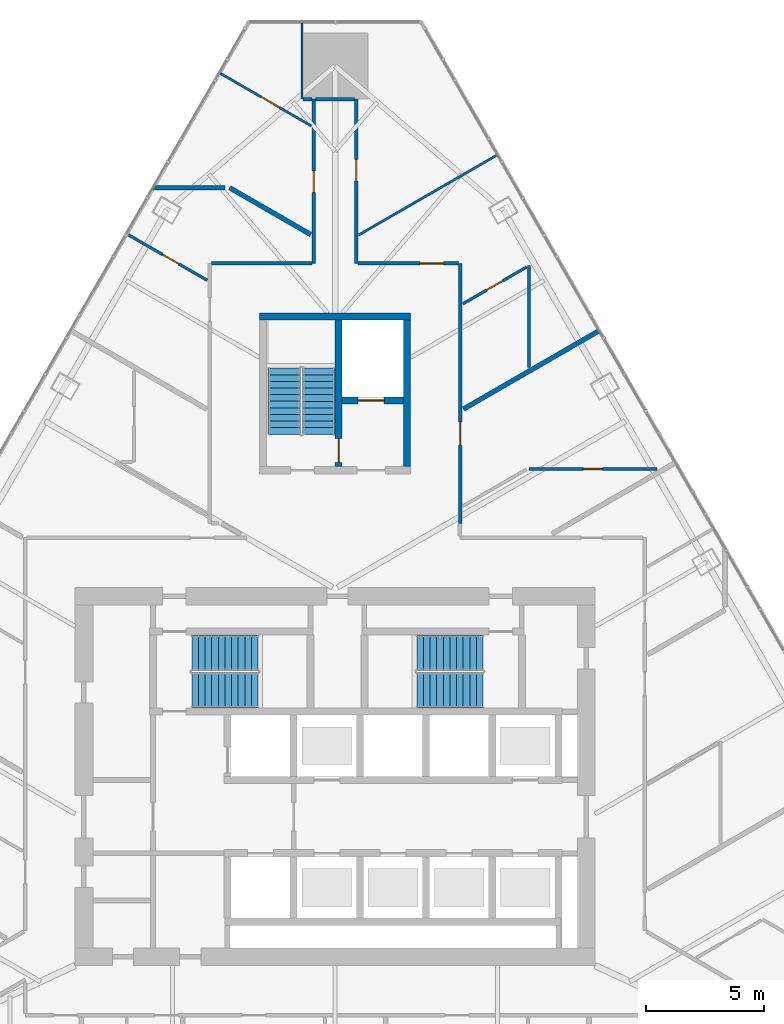
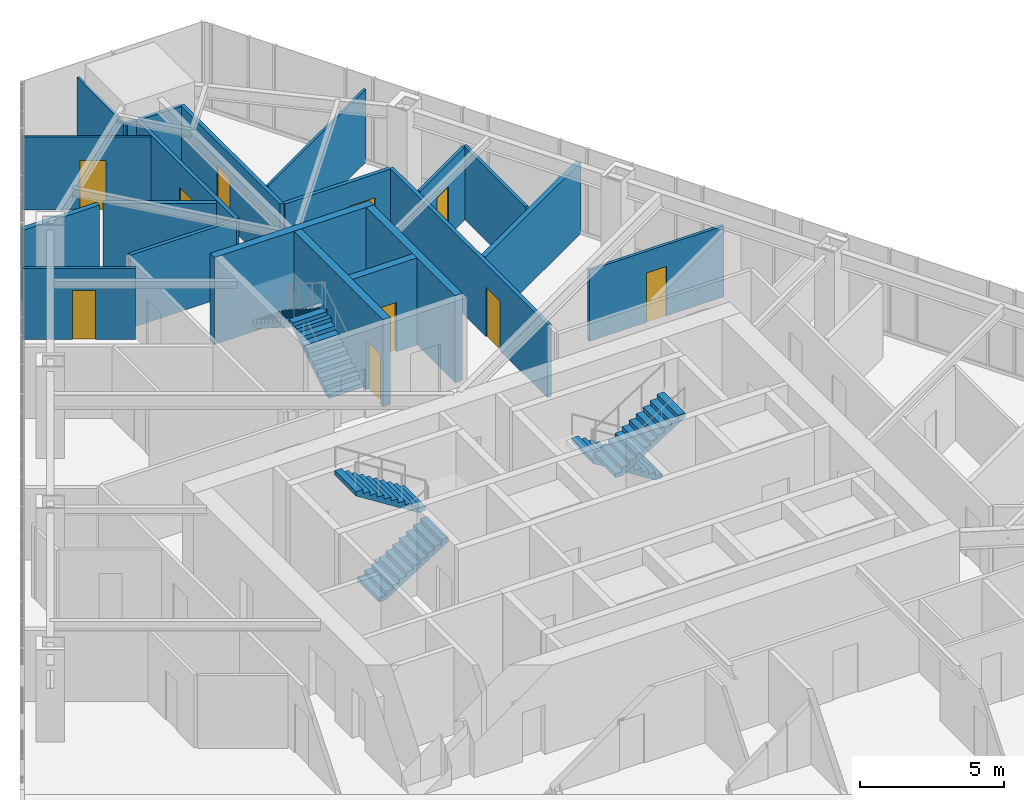
# One storey, part 22 of 24: 21 walls, 10 doors, 6 stair flights, 10 openings, 3 elements without a shape of their own.
"""IFC4 building model written with IfcOpenShell, lengths in metres."""

import ifcopenshell
import ifcopenshell.guid

model = None  # the IFC model being written
_history = None  # IfcOwnerHistory: only IFC2X3 demands one
_inside = {}  # id of a spatial element -> (the spatial element, [elements in it])
_under = {}  # id of a project, library or spatial element -> (it, [spatial elements below it])
_declared = {}  # id of a project -> (the project, [libraries it declares])
_typed = {}  # id of a type object -> (the type object, [elements of that type])
_made_of = {}  # id of a material, layer set ... -> (it, [elements and type objects made of it])


def new_model(schema):
    """Start an empty IFC model of exactly this schema.

    Asked for "IFC4X3", IfcOpenShell would pick the latest addendum, in which some entities
    have other attributes; the version numbers below select the first issue.
    IFC2X3 requires an IfcOwnerHistory on every rooted entity: one is made here for all.
    """
    global model, _history
    if schema == "IFC4X3":
        model = ifcopenshell.file(schema_version=(4, 3, 0, 0))
    else:
        model = ifcopenshell.file(schema=schema)
    _inside.clear()
    _under.clear()
    _declared.clear()
    _typed.clear()
    _made_of.clear()
    _history = None
    if model.schema == "IFC2X3":
        org = make("IfcOrganization", Name="unknown")
        user = make(
            "IfcPersonAndOrganization",
            ThePerson=make("IfcPerson", FamilyName="unknown"),
            TheOrganization=org,
        )
        app = make(
            "IfcApplication",
            ApplicationDeveloper=org,
            Version="unknown",
            ApplicationFullName="unknown",
            ApplicationIdentifier="unknown",
        )
        _history = make(
            "IfcOwnerHistory",
            OwningUser=user,
            OwningApplication=app,
            ChangeAction="ADDED",
            CreationDate=0,
        )
    return model


def make(cls, **values):
    """One entity of the class cls with the attributes given. An attribute that is None is left unset."""
    return model.create_entity(
        cls, **{name: value for name, value in values.items() if value is not None}
    )


def rooted(cls, **values):
    """An entity with a GlobalId (a new one), such as an element, a storey or a relation."""
    return make(cls, GlobalId=ifcopenshell.guid.new(), OwnerHistory=_history, **values)


def si_unit(unit_type, name, prefix=None):
    """IfcSIUnit, for example si_unit("LENGTHUNIT", "METRE", prefix="MILLI")."""
    return make("IfcSIUnit", UnitType=unit_type, Prefix=prefix, Name=name)


def assignment(units):
    """IfcUnitAssignment: the units of a project."""
    return None if units is None else make("IfcUnitAssignment", Units=units)


def point(xyz):
    """IfcCartesianPoint."""
    return None if xyz is None else make("IfcCartesianPoint", Coordinates=xyz)


def direction(xyz):
    """IfcDirection."""
    return None if xyz is None else make("IfcDirection", DirectionRatios=xyz)


def frame(location, z_axis=None, x_axis=None):
    """IfcAxis2Placement3D, a coordinate frame: its origin and axes. An axis left out is left unset."""
    return make(
        "IfcAxis2Placement3D",
        Location=point(location),
        Axis=direction(z_axis),
        RefDirection=direction(x_axis),
    )


def frame_2d(location, x_axis=None):
    """IfcAxis2Placement2D, a coordinate frame in the plane: its origin and x axis."""
    return make(
        "IfcAxis2Placement2D", Location=point(location), RefDirection=direction(x_axis)
    )


def origin():
    """The frame at (0, 0, 0) with its axes left unset."""
    return frame((0.0, 0.0, 0.0))


def place(relative_to, where):
    """IfcLocalPlacement: puts the frame where relative to a parent placement (None: the world)."""
    return make(
        "IfcLocalPlacement", PlacementRelTo=relative_to, RelativePlacement=where
    )


def context(
    kind, dimensions, precision=None, world=None, true_north=None, identifier=None
):
    """IfcGeometricRepresentationContext, for example the 3D "Model" context."""
    return make(
        "IfcGeometricRepresentationContext",
        ContextIdentifier=identifier,
        ContextType=kind,
        CoordinateSpaceDimension=dimensions,
        Precision=precision,
        WorldCoordinateSystem=world,
        TrueNorth=true_north,
    )


def subcontext(parent, identifier, kind, view, scale=None):
    """IfcGeometricRepresentationSubContext, for example "Body" below "Model"."""
    return make(
        "IfcGeometricRepresentationSubContext",
        ContextIdentifier=identifier,
        ContextType=kind,
        ParentContext=parent,
        TargetScale=scale,
        TargetView=view,
    )


def project(units=None, contexts=None):
    """IfcProject with its units and contexts."""
    return rooted(
        "IfcProject",
        Name="project",
        RepresentationContexts=contexts,
        UnitsInContext=assignment(units),
    )


def spatial(cls, under=None, at=None, **own):
    """A site, building, storey or space (cls), placed at a placement, below another one or the project."""
    s = rooted(cls, ObjectPlacement=at, **own)
    if under is not None:
        _under.setdefault(under.id(), (under, []))[1].append(s)
    return s


def polyline(points):
    """IfcPolyline through the points."""
    return make("IfcPolyline", Points=[point(p) for p in points])


def profile(cls, at=None, kind="AREA", **sizes):
    """A parametric profile (cls). Its sizes go by their IFC names, for example OverallWidth=200.0."""
    return make(cls, ProfileType=kind, Position=at, **sizes)


def rectangle(**sizes):
    """IfcRectangleProfileDef."""
    return profile("IfcRectangleProfileDef", **sizes)


def outline(outer, holes=None, kind="AREA"):
    """IfcArbitraryClosedProfileDef: a profile drawn as a closed curve; with holes, ...WithVoids."""
    if holes is None:
        return make("IfcArbitraryClosedProfileDef", ProfileType=kind, OuterCurve=outer)
    return make(
        "IfcArbitraryProfileDefWithVoids",
        ProfileType=kind,
        OuterCurve=outer,
        InnerCurves=holes,
    )


def extrude(swept, where, along, depth):
    """IfcExtrudedAreaSolid: the profile swept, set in the frame where, extruded along a direction by depth."""
    return make(
        "IfcExtrudedAreaSolid",
        SweptArea=swept,
        Position=where,
        ExtrudedDirection=direction(along),
        Depth=depth,
    )


def shape(context_of_items, identifier, shape_type, items):
    """IfcShapeRepresentation: the items that make up one representation, for example the "Body"."""
    return make(
        "IfcShapeRepresentation",
        ContextOfItems=context_of_items,
        RepresentationIdentifier=identifier,
        RepresentationType=shape_type,
        Items=items,
    )


def material(Name=None, Category=None):
    """IfcMaterial."""
    return make("IfcMaterial", Name=Name, Category=Category)


def layer(
    of_material, thickness, ventilated=None, Name=None, Category=None, Priority=None
):
    """IfcMaterialLayer: one layer of a wall or slab, of a material (None: an air gap)."""
    return make(
        "IfcMaterialLayer",
        Material=of_material,
        LayerThickness=thickness,
        IsVentilated=ventilated,
        Name=Name,
        Category=Category,
        Priority=Priority,
    )


def layer_set(layers, Name=None):
    """IfcMaterialLayerSet."""
    return make("IfcMaterialLayerSet", MaterialLayers=layers, LayerSetName=Name)


def made_of(thing, what):
    """Note that an element or type object is made of a material, layer set ...; save() writes the relation."""
    if what is not None:
        _made_of.setdefault(what.id(), (what, []))[1].append(thing)
    return thing


def type_object(cls, material=None, **own):
    """A type object (cls), such as IfcWallType, which elements share."""
    return made_of(rooted(cls, **own), material)


def element(
    cls,
    number,
    at=None,
    inside=None,
    cuts=None,
    type_object=None,
    material=None,
    context=None,
    identifier="Body",
    shape_type=None,
    held_by="IfcProductDefinitionShape",
    body=None,
    shapes=None,
    **own,
):
    """One element of the class cls, such as IfcWall. Its Tag is "e" and its number.

    at: its placement. inside: the storey or other place that contains it. cuts: it is an
    opening in that element (IfcRelVoidsElement). A single representation is given by context,
    identifier, shape_type and body (its items); several are given by shapes. held_by: the class
    of the entity that holds the representations. save() writes the other relations.
    """
    e = rooted(cls, Tag="e%d" % number, ObjectPlacement=at, **own)
    if body is not None:
        shapes = [shape(context, identifier, shape_type, body)]
    if shapes is not None:
        e.Representation = make(held_by, Representations=shapes)
    if inside is not None:
        _inside.setdefault(inside.id(), (inside, []))[1].append(e)
    if cuts is not None:
        rooted(
            "IfcRelVoidsElement", RelatingBuildingElement=cuts, RelatedOpeningElement=e
        )
    if type_object is not None:
        _typed.setdefault(type_object.id(), (type_object, []))[1].append(e)
    return made_of(e, material)


def fill(opening, filler):
    """IfcRelFillsElement: the door or window that sits in an opening."""
    return rooted(
        "IfcRelFillsElement",
        RelatingOpeningElement=opening,
        RelatedBuildingElement=filler,
    )


def aggregate(whole, parts):
    """IfcRelAggregates: a whole, such as a stair, and the parts it consists of."""
    return rooted("IfcRelAggregates", RelatingObject=whole, RelatedObjects=parts)


def save(model, path):
    """Write the relations noted so far, then the file.

    IfcRelAggregates (storeys below a building ...), IfcRelContainedInSpatialStructure (elements
    in a storey), IfcRelDefinesByType, IfcRelAssociatesMaterial and IfcRelDeclares: one each for
    every whole, place, type object, material and project.
    """
    for whole, parts in _under.values():
        aggregate(whole, parts)
    for where, things in _inside.values():
        rooted(
            "IfcRelContainedInSpatialStructure",
            RelatedElements=things,
            RelatingStructure=where,
        )
    for kind, things in _typed.values():
        rooted("IfcRelDefinesByType", RelatedObjects=things, RelatingType=kind)
    for what, things in _made_of.values():
        rooted("IfcRelAssociatesMaterial", RelatedObjects=things, RelatingMaterial=what)
    for by, libraries in _declared.values():
        rooted("IfcRelDeclares", RelatingContext=by, RelatedDefinitions=libraries)
    model.write(path)


model = new_model("IFC4")

# Units and contexts
model_context = context("Model", 3, precision=1e-05, world=origin(), true_north=direction((0.0, 1.0)))
body_context = subcontext(model_context, "Body", "Model", "MODEL_VIEW")
ifc_project = project(units=[si_unit("LENGTHUNIT", "METRE"), si_unit("AREAUNIT", "SQUARE_METRE"), si_unit("VOLUMEUNIT", "CUBIC_METRE"), si_unit("PLANEANGLEUNIT", "RADIAN"), si_unit("MASSUNIT", "GRAM", prefix="KILO")], contexts=[model_context])

# Site, building, storey
site_placement = place(None, origin())
site = spatial("IfcSite", under=ifc_project, at=site_placement, CompositionType="ELEMENT")
building_placement = place(site_placement, origin())
building = spatial("IfcBuilding", under=site, at=building_placement, Name="Firuza Gate Tower and Library", CompositionType="ELEMENT")
storey_placement = place(building_placement, frame((0.0, 0.0, 206.5)))
storey = spatial("IfcBuildingStorey", under=building, at=storey_placement, Name="L48", CompositionType="ELEMENT", Elevation=206.5)

# Walls
ifc_material_1 = material(Name="Concrete C80/95", Category="concrete")
ifc_layer_1 = layer(ifc_material_1, 0.300048828125)
ifc_layer_set_1 = layer_set([ifc_layer_1], Name="Core wall 300 C80/95")
wall_type_1 = type_object("IfcWallType", Name="Core wall 300 C80/95", PredefinedType="SHEAR", material=ifc_layer_set_1)
wall_1_placement = place(storey_placement, frame((71.800048828125, 94.449951171875, 0.0), z_axis=(0.0, 0.0, 1.0), x_axis=(1.0, 0.0, 0.0)))
element("IfcWall", 1, at=wall_1_placement, inside=storey, type_object=wall_type_1, Name="Core wall L48 28", PredefinedType="SHEAR", context=body_context, shape_type="SweptSolid", body=[
    extrude(rectangle(XDim=6.39990234375, YDim=0.300048828125, at=frame_2d((3.199951171875, 0.0))), origin(), (0.0, 0.0, 1.0), 3.699951171875),
])
wall_2_placement = place(storey_placement, frame((78.050048828125, 88.10009765625, 0.0), z_axis=(0.0, 0.0, 1.0), x_axis=(0.0, 1.0, 0.0)))
element("IfcWall", 2, at=wall_2_placement, inside=storey, type_object=wall_type_1, Name="Core wall L48 30", PredefinedType="SHEAR", context=body_context, shape_type="SweptSolid", body=[
    extrude(rectangle(XDim=6.199951171875, YDim=0.300048828125, at=frame_2d((3.10009765625, 0.0))), origin(), (0.0, 0.0, 1.0), 3.699951171875),
])

# Wall, opening, door
wall_3_placement = place(storey_placement, frame((75.300048828125, 90.89990234375, 0.0), z_axis=(0.0, 0.0, 1.0), x_axis=(1.0, 0.0, 0.0)))
wall_3 = element("IfcWall", 3, at=wall_3_placement, inside=storey, type_object=wall_type_1, Name="Core wall L48 31", PredefinedType="SHEAR", context=body_context, shape_type="SweptSolid", body=[
    extrude(rectangle(XDim=2.599853515625, YDim=0.300048828125, at=frame_2d((1.2998046875, 0.0))), origin(), (0.0, 0.0, 1.0), 3.699951171875),
])
opening_1_placement = place(wall_3_placement, frame((0.675048828125, 0.0, 0.0)))
opening_1 = element("IfcOpeningElement", 4, at=opening_1_placement, cuts=wall_3, Name="Opening LD-SV1-L48", PredefinedType="OPENING", context=body_context, shape_type="SweptSolid", body=[
    extrude(rectangle(XDim=1.10009765625, YDim=2.10009765625, at=frame_2d((0.550048828125, 1.050048828125))), frame((0.0, 0.16015625, 0.0), z_axis=(0.0, -1.0, 0.0), x_axis=(1.0, 0.0, 0.0)), (0.0, 0.0, 1.0), 0.320068359375),
])
ifc_material_2 = material(Name="Stainless steel", Category="steel")
door_type_1 = type_object("IfcDoorType", Name="Lift landing door 1100x2100", OperationType="DOUBLE_DOOR_SLIDING", PredefinedType="DOOR", material=ifc_material_2)
door_1_placement = place(opening_1_placement, origin())
door_1 = element("IfcDoor", 5, at=door_1_placement, inside=storey, type_object=door_type_1, Name="Landing door SV1 L48", OperationType="DOUBLE_DOOR_SLIDING", OverallHeight=2.10009765625, OverallWidth=1.10009765625, PredefinedType="DOOR", context=body_context, shape_type="SweptSolid", body=[
    extrude(rectangle(XDim=1.10009765625, YDim=2.10009765625, at=frame_2d((0.550048828125, 1.050048828125))), frame((0.0, 0.02490234375, 0.0), z_axis=(0.0, -1.0, 0.0), x_axis=(1.0, 0.0, 0.0)), (0.0, 0.0, 1.0), 0.050048828125),
])
fill(opening_1, door_1)

wall_4_placement = place(storey_placement, frame((75.14990234375, 88.10009765625, 0.0), z_axis=(0.0, 0.0, 1.0), x_axis=(0.0, 1.0, 0.0)))
wall_4 = element("IfcWall", 6, at=wall_4_placement, inside=storey, type_object=wall_type_1, Name="Core wall L48 32", PredefinedType="SHEAR", context=body_context, shape_type="SweptSolid", body=[
    extrude(rectangle(XDim=6.199951171875, YDim=0.300048828125, at=frame_2d((3.10009765625, 0.0))), origin(), (0.0, 0.0, 1.0), 3.699951171875),
])
opening_2_placement = place(wall_4_placement, frame((0.18505859375, 0.0, 0.0)))
opening_2 = element("IfcOpeningElement", 7, at=opening_2_placement, cuts=wall_4, Name="Opening L48-K16", PredefinedType="OPENING", context=body_context, shape_type="SweptSolid", body=[
    extrude(rectangle(XDim=1.0, YDim=2.10009765625, at=frame_2d((0.5, 1.050048828125))), frame((0.0, 0.16015625, 0.0), z_axis=(0.0, -1.0, 0.0), x_axis=(1.0, 0.0, 0.0)), (0.0, 0.0, 1.0), 0.320068359375),
])
ifc_material_3 = material(Name="Steel", Category="steel")
door_type_2 = type_object("IfcDoorType", Name="Fire door 1000x2100 FD90", OperationType="NOTDEFINED", PredefinedType="DOOR", material=ifc_material_3)
door_2_placement = place(opening_2_placement, origin())
door_2 = element("IfcDoor", 8, at=door_2_placement, inside=storey, type_object=door_type_2, Name="Door L48-K16", OperationType="SINGLE_SWING_LEFT", OverallHeight=2.10009765625, OverallWidth=1.0, PredefinedType="DOOR", context=body_context, shape_type="SweptSolid", body=[
    extrude(rectangle(XDim=1.0, YDim=2.10009765625, at=frame_2d((0.5, 1.050048828125))), frame((0.0, 0.02490234375, 0.0), z_axis=(0.0, -1.0, 0.0), x_axis=(1.0, 0.0, 0.0)), (0.0, 0.0, 1.0), 0.050048828125),
])
fill(opening_2, door_2)

# Wall
ifc_material_4 = material(Name="Gypsum board partition")
ifc_layer_2 = layer(ifc_material_4, 0.14990234375)
ifc_layer_set_2 = layer_set([ifc_layer_2], Name="Corridor wall 150 double board on steel studs")
wall_type_2 = type_object("IfcWallType", Name="Corridor wall 150 double board on steel studs", PredefinedType="PARTITIONING", material=ifc_layer_set_2)
wall_5_placement = place(storey_placement, frame((69.775390625, 96.699951171875, 0.0), z_axis=(0.0, 0.0, 1.0), x_axis=(1.0, 0.0, 0.0)))
element("IfcWall", 9, at=wall_5_placement, inside=storey, type_object=wall_type_2, Name="f:L48:w014", PredefinedType="PARTITIONING", context=body_context, shape_type="SweptSolid", body=[
    extrude(rectangle(XDim=4.24951171875, YDim=0.14990234375, at=frame_2d((2.124755859375, 0.0))), origin(), (0.0, 0.0, 1.0), 3.10009765625),
])

# Wall, opening, door
wall_6_placement = place(storey_placement, frame((75.97509765625, 96.699951171875, 0.0), z_axis=(0.0, 0.0, 1.0), x_axis=(1.0, 0.0, 0.0)))
wall_6 = element("IfcWall", 10, at=wall_6_placement, inside=storey, type_object=wall_type_2, Name="f:L48:w015", PredefinedType="PARTITIONING", context=body_context, shape_type="SweptSolid", body=[
    extrude(rectangle(XDim=4.24951171875, YDim=0.14990234375, at=frame_2d((2.124755859375, 0.0))), origin(), (0.0, 0.0, 1.0), 3.10009765625),
])
opening_3_placement = place(wall_6_placement, frame((2.6220703125, 0.0, 0.0)))
opening_3 = element("IfcOpeningElement", 11, at=opening_3_placement, cuts=wall_6, Name="Opening L48-12", PredefinedType="OPENING", context=body_context, shape_type="SweptSolid", body=[
    extrude(rectangle(XDim=1.0, YDim=2.10009765625, at=frame_2d((0.5, 1.050048828125))), frame((0.0, 0.0849609375, 0.0), z_axis=(0.0, -1.0, 0.0), x_axis=(1.0, 0.0, 0.0)), (0.0, 0.0, 1.0), 0.169921875),
])
ifc_material_5 = material(Name="Steel door and timber leaf", Category="steel")
door_type_3 = type_object("IfcDoorType", Name="Fire door 1000 x 2100 steel frame, timber leaf", OperationType="NOTDEFINED", PredefinedType="DOOR", material=ifc_material_5)
door_3_placement = place(opening_3_placement, origin())
door_3 = element("IfcDoor", 12, at=door_3_placement, inside=storey, type_object=door_type_3, Name="f:L48:d012", OperationType="SINGLE_SWING_LEFT", OverallHeight=2.10009765625, OverallWidth=1.0, PredefinedType="DOOR", context=body_context, shape_type="SweptSolid", body=[
    extrude(rectangle(XDim=1.0, YDim=2.10009765625, at=frame_2d((0.5, 1.050048828125))), frame((0.0, 0.02490234375, 0.0), z_axis=(0.0, -1.0, 0.0), x_axis=(1.0, 0.0, 0.0)), (0.0, 0.0, 1.0), 0.050048828125),
])
fill(opening_3, door_3)

# Wall
wall_7_placement = place(storey_placement, frame((73.650390625, 103.64794921875, 0.0), z_axis=(0.0, 0.0, 1.0), x_axis=(1.0, 0.0, 0.0)))
element("IfcWall", 13, at=wall_7_placement, inside=storey, type_object=wall_type_2, Name="f:L48:w017", PredefinedType="PARTITIONING", context=body_context, shape_type="SweptSolid", body=[
    extrude(rectangle(XDim=0.37451171875, YDim=0.14990234375, at=frame_2d((0.187255859375, 0.0))), origin(), (0.0, 0.0, 1.0), 3.10009765625),
])

# Wall, opening, door
wall_8_placement = place(storey_placement, frame((80.300048828125, 96.699462890625, 0.0), z_axis=(0.0, 0.0, 1.0), x_axis=(0.0, -1.0, 0.0)))
wall_8 = element("IfcWall", 14, at=wall_8_placement, inside=storey, type_object=wall_type_2, Name="f:L48:w050", PredefinedType="PARTITIONING", context=body_context, shape_type="SweptSolid", body=[
    extrude(rectangle(XDim=10.9990234375, YDim=0.14990234375, at=frame_2d((5.49951171875, 0.0))), origin(), (0.0, 0.0, 1.0), 3.096923828125),
])
opening_4_placement = place(wall_8_placement, frame((6.697021484375, 0.0, 0.0)))
opening_4 = element("IfcOpeningElement", 15, at=opening_4_placement, cuts=wall_8, Name="Opening L48-27", PredefinedType="OPENING", context=body_context, shape_type="SweptSolid", body=[
    extrude(rectangle(XDim=1.0, YDim=2.10009765625, at=frame_2d((0.5, 1.050048828125))), frame((0.0, 0.0849609375, 0.0), z_axis=(0.0, -1.0, 0.0), x_axis=(1.0, 0.0, 0.0)), (0.0, 0.0, 1.0), 0.169921875),
])
door_4_placement = place(opening_4_placement, origin())
door_4 = element("IfcDoor", 16, at=door_4_placement, inside=storey, type_object=door_type_3, Name="f:L48:d027", OperationType="SINGLE_SWING_RIGHT", OverallHeight=2.10009765625, OverallWidth=1.0, PredefinedType="DOOR", context=body_context, shape_type="SweptSolid", body=[
    extrude(rectangle(XDim=1.0, YDim=2.10009765625, at=frame_2d((0.5, 1.050048828125))), frame((0.0, 0.02490234375, 0.0), z_axis=(0.0, -1.0, 0.0), x_axis=(1.0, 0.0, 0.0)), (0.0, 0.0, 1.0), 0.050048828125),
])
fill(opening_4, door_4)

wall_9_placement = place(storey_placement, frame((75.89990234375, 103.6474609375, 0.0), z_axis=(0.0, 0.0, 1.0), x_axis=(0.0, -1.0, 0.0)))
wall_9 = element("IfcWall", 17, at=wall_9_placement, inside=storey, type_object=wall_type_2, Name="f:L48:w053", PredefinedType="PARTITIONING", context=body_context, shape_type="SweptSolid", body=[
    extrude(rectangle(XDim=6.947509765625, YDim=0.14990234375, at=frame_2d((3.4736328125, 0.0))), origin(), (0.0, 0.0, 1.0), 3.10009765625),
])
opening_5_placement = place(wall_9_placement, frame((2.5517578125, 0.0, 0.0)))
opening_5 = element("IfcOpeningElement", 18, at=opening_5_placement, cuts=wall_9, Name="Opening L48-28", PredefinedType="OPENING", context=body_context, shape_type="SweptSolid", body=[
    extrude(rectangle(XDim=0.89990234375, YDim=2.10009765625, at=frame_2d((0.449951171875, 1.050048828125))), frame((0.0, 0.0849609375, 0.0), z_axis=(0.0, -1.0, 0.0), x_axis=(1.0, 0.0, 0.0)), (0.0, 0.0, 1.0), 0.169921875),
])
ifc_material_6 = material(Name="Steel door and timber leaf", Category="steel")
door_type_4 = type_object("IfcDoorType", Name="Fire door 900 x 2100 steel frame, timber leaf", OperationType="NOTDEFINED", PredefinedType="DOOR", material=ifc_material_6)
door_5_placement = place(opening_5_placement, origin())
door_5 = element("IfcDoor", 19, at=door_5_placement, inside=storey, type_object=door_type_4, Name="f:L48:d028", OperationType="SINGLE_SWING_RIGHT", OverallHeight=2.10009765625, OverallWidth=0.89990234375, PredefinedType="DOOR", context=body_context, shape_type="SweptSolid", body=[
    extrude(rectangle(XDim=0.89990234375, YDim=2.10009765625, at=frame_2d((0.449951171875, 1.050048828125))), frame((0.0, 0.02490234375, 0.0), z_axis=(0.0, -1.0, 0.0), x_axis=(1.0, 0.0, 0.0)), (0.0, 0.0, 1.0), 0.050048828125),
])
fill(opening_5, door_5)

wall_10_placement = place(storey_placement, frame((74.10009765625, 96.699951171875, 0.0), z_axis=(0.0, 0.0, 1.0), x_axis=(0.0, 1.0, 0.0)))
wall_10 = element("IfcWall", 20, at=wall_10_placement, inside=storey, type_object=wall_type_2, Name="f:L48:w055", PredefinedType="PARTITIONING", context=body_context, shape_type="SweptSolid", body=[
    extrude(rectangle(XDim=6.947998046875, YDim=0.14990234375, at=frame_2d((3.47412109375, 0.0))), origin(), (0.0, 0.0, 1.0), 3.10009765625),
])
opening_6_placement = place(wall_10_placement, frame((3.002197265625, 0.0, 0.0)))
opening_6 = element("IfcOpeningElement", 21, at=opening_6_placement, cuts=wall_10, Name="Opening L48-29", PredefinedType="OPENING", context=body_context, shape_type="SweptSolid", body=[
    extrude(rectangle(XDim=0.89990234375, YDim=2.10009765625, at=frame_2d((0.449951171875, 1.050048828125))), frame((0.0, 0.0849609375, 0.0), z_axis=(0.0, -1.0, 0.0), x_axis=(1.0, 0.0, 0.0)), (0.0, 0.0, 1.0), 0.169921875),
])
door_6_placement = place(opening_6_placement, origin())
door_6 = element("IfcDoor", 22, at=door_6_placement, inside=storey, type_object=door_type_4, Name="f:L48:d029", OperationType="SINGLE_SWING_LEFT", OverallHeight=2.10009765625, OverallWidth=0.89990234375, PredefinedType="DOOR", context=body_context, shape_type="SweptSolid", body=[
    extrude(rectangle(XDim=0.89990234375, YDim=2.10009765625, at=frame_2d((0.449951171875, 1.050048828125))), frame((0.0, 0.02490234375, 0.0), z_axis=(0.0, -1.0, 0.0), x_axis=(1.0, 0.0, 0.0)), (0.0, 0.0, 1.0), 0.050048828125),
])
fill(opening_6, door_6)

# Walls
wall_11_placement = place(storey_placement, frame((74.175048828125, 103.64794921875, 0.0), z_axis=(0.0, 0.0, 1.0), x_axis=(1.0, 0.0, 0.0)))
element("IfcWall", 23, at=wall_11_placement, inside=storey, type_object=wall_type_2, Name="f:L48:w095", PredefinedType="PARTITIONING", context=body_context, shape_type="SweptSolid", body=[
    extrude(rectangle(XDim=1.6494140625, YDim=0.14990234375, at=frame_2d((0.82470703125, 0.0))), origin(), (0.0, 0.0, 1.0), 3.096923828125),
])
ifc_material_7 = material(Name="Gypsum board partition")
ifc_layer_3 = layer(ifc_material_7, 0.199951171875)
ifc_layer_set_3 = layer_set([ifc_layer_3], Name="Demising wall 200 acoustic double stud")
wall_type_3 = type_object("IfcWallType", Name="Demising wall 200 acoustic double stud", PredefinedType="PARTITIONING", material=ifc_layer_set_3)
wall_12_placement = place(storey_placement, frame((67.3193359375, 99.89990234375, 0.0), z_axis=(0.0, 0.0, 1.0), x_axis=(1.0, 0.0, 0.0)))
element("IfcWall", 24, at=wall_12_placement, inside=storey, type_object=wall_type_3, Name="f:L48:w016", PredefinedType="PARTITIONING", context=body_context, shape_type="SweptSolid", body=[
    extrude(rectangle(XDim=3.0244140625, YDim=0.199951171875, at=frame_2d((1.51220703125, 0.0))), origin(), (0.0, 0.0, 1.0), 3.10009765625),
])
wall_13_placement = place(storey_placement, frame((80.427001953125, 90.537109375, 0.0), z_axis=(0.0, 0.0, 1.0), x_axis=(0.866026229868, 0.499998569178, 0.0)))
element("IfcWall", 25, at=wall_13_placement, inside=storey, type_object=wall_type_3, Name="f:L48:w034", PredefinedType="PARTITIONING", context=body_context, shape_type="SweptSolid", body=[
    extrude(rectangle(XDim=6.63330078125, YDim=0.199951171875, at=frame_2d((3.316650390625, 0.0))), origin(), (0.0, 0.0, 1.0), 3.02197265625),
])
wall_14_placement = place(storey_placement, frame((73.97314453125, 97.920166015625, 0.0), z_axis=(0.0, 0.0, 1.0), x_axis=(-0.866011036969, 0.500024883228, 0.0)))
element("IfcWall", 26, at=wall_14_placement, inside=storey, type_object=wall_type_3, Name="f:L48:w076", PredefinedType="PARTITIONING", context=body_context, shape_type="SweptSolid", body=[
    extrude(rectangle(XDim=3.959716796875, YDim=0.199951171875, at=frame_2d((1.97998046875, 0.0))), origin(), (0.0, 0.0, 1.0), 3.10009765625),
])
ifc_material_8 = material(Name="Gypsum board partition")
ifc_layer_4 = layer(ifc_material_8, 0.10009765625)
ifc_layer_set_4 = layer_set([ifc_layer_4], Name="Partition 100 gypsum board on steel studs")
wall_type_4 = type_object("IfcWallType", Name="Partition 100 gypsum board on steel studs", PredefinedType="PARTITIONING", material=ifc_layer_set_4)
wall_15_placement = place(storey_placement, frame((76.0009765625, 97.9052734375, 0.0), z_axis=(0.0, 0.0, 1.0), x_axis=(0.866023732449, 0.500002894826, 0.0)))
element("IfcWall", 27, at=wall_15_placement, inside=storey, type_object=wall_type_4, Name="f:L48:w036", PredefinedType="PARTITIONING", context=body_context, shape_type="SweptSolid", body=[
    extrude(rectangle(XDim=6.7822265625, YDim=0.10009765625, at=frame_2d((3.39111328125, 0.0))), origin(), (0.0, 0.0, 1.0), 3.10009765625),
])
wall_16_placement = place(storey_placement, frame((73.60009765625, 103.6484375, 0.0), z_axis=(0.0, 0.0, 1.0), x_axis=(0.0, 1.0, 0.0)))
element("IfcWall", 28, at=wall_16_placement, inside=storey, type_object=wall_type_4, Name="f:L48:w057", PredefinedType="PARTITIONING", context=body_context, shape_type="SweptSolid", body=[
    extrude(rectangle(XDim=3.259521484375, YDim=0.10009765625, at=frame_2d((1.6298828125, 0.0))), origin(), (0.0, 0.0, 1.0), 3.10009765625),
])

# Wall, opening, door
wall_17_placement = place(storey_placement, frame((73.999267578125, 102.515869140625, 0.0), z_axis=(0.0, 0.0, 1.0), x_axis=(-0.866023033614, 0.500004105233, 0.0)))
wall_17 = element("IfcWall", 29, at=wall_17_placement, inside=storey, type_object=wall_type_4, Name="f:L48:w075", PredefinedType="PARTITIONING", context=body_context, shape_type="SweptSolid", body=[
    extrude(rectangle(XDim=4.47705078125, YDim=0.10009765625, at=frame_2d((2.238525390625, 0.0))), origin(), (0.0, 0.0, 1.0), 3.10009765625),
])
opening_7_placement = place(wall_17_placement, frame((1.570068359375, 0.0, 0.0)))
opening_7 = element("IfcOpeningElement", 30, at=opening_7_placement, cuts=wall_17, Name="Opening L48-37", PredefinedType="OPENING", context=body_context, shape_type="SweptSolid", body=[
    extrude(rectangle(XDim=0.89990234375, YDim=2.10009765625, at=frame_2d((0.449951171875, 1.050048828125))), frame((0.0, 0.06005859375, 0.0), z_axis=(0.0, -1.0, 0.0), x_axis=(1.0, 0.0, 0.0)), (0.0, 0.0, 1.0), 0.1201171875),
])
ifc_material_9 = material(Name="Timber door", Category="wood")
door_type_5 = type_object("IfcDoorType", Name="Door 900 x 2100 timber leaf", OperationType="NOTDEFINED", PredefinedType="DOOR", material=ifc_material_9)
door_7_placement = place(opening_7_placement, origin())
door_7 = element("IfcDoor", 31, at=door_7_placement, inside=storey, type_object=door_type_5, Name="f:L48:d037", OperationType="SINGLE_SWING_RIGHT", OverallHeight=2.10009765625, OverallWidth=0.89990234375, PredefinedType="DOOR", context=body_context, shape_type="SweptSolid", body=[
    extrude(rectangle(XDim=0.89990234375, YDim=2.10009765625, at=frame_2d((0.449951171875, 1.050048828125))), frame((0.0, 0.02490234375, 0.0), z_axis=(0.0, -1.0, 0.0), x_axis=(1.0, 0.0, 0.0)), (0.0, 0.0, 1.0), 0.050048828125),
])
fill(opening_7, door_7)

ifc_material_10 = material(Name="Gypsum board partition")
ifc_layer_5 = layer(ifc_material_10, 0.1201171875)
ifc_layer_set_5 = layer_set([ifc_layer_5], Name="Wet-area partition 120 moisture-resistant board")
wall_type_5 = type_object("IfcWallType", Name="Wet-area partition 120 moisture-resistant board", PredefinedType="PARTITIONING", material=ifc_layer_set_5)
wall_18_placement = place(storey_placement, frame((88.61279296875, 88.0, 0.0), z_axis=(0.0, 0.0, 1.0), x_axis=(-1.0, 0.0, 0.0)))
wall_18 = element("IfcWall", 32, at=wall_18_placement, inside=storey, type_object=wall_type_5, Name="f:L48:w012", PredefinedType="PARTITIONING", context=body_context, shape_type="SweptSolid", body=[
    extrude(rectangle(XDim=5.412353515625, YDim=0.1201171875, at=frame_2d((2.7060546875, 0.0))), origin(), (0.0, 0.0, 1.0), 3.02197265625),
])
opening_8_placement = place(wall_18_placement, frame((2.30615234375, 0.0, 0.0)))
opening_8 = element("IfcOpeningElement", 33, at=opening_8_placement, cuts=wall_18, Name="Opening L48-11", PredefinedType="OPENING", context=body_context, shape_type="SweptSolid", body=[
    extrude(rectangle(XDim=0.800048828125, YDim=2.10009765625, at=frame_2d((0.39990234375, 1.050048828125))), frame((0.0, 0.070068359375, 0.0), z_axis=(0.0, -1.0, 0.0), x_axis=(1.0, 0.0, 0.0)), (0.0, 0.0, 1.0), 0.14013671875),
])
ifc_material_11 = material(Name="Timber door", Category="wood")
door_type_6 = type_object("IfcDoorType", Name="Door 800 x 2100 timber leaf", OperationType="NOTDEFINED", PredefinedType="DOOR", material=ifc_material_11)
door_8_placement = place(opening_8_placement, origin())
door_8 = element("IfcDoor", 34, at=door_8_placement, inside=storey, type_object=door_type_6, Name="f:L48:d011", OperationType="SINGLE_SWING_LEFT", OverallHeight=2.10009765625, OverallWidth=0.800048828125, PredefinedType="DOOR", context=body_context, shape_type="SweptSolid", body=[
    extrude(rectangle(XDim=0.800048828125, YDim=2.10009765625, at=frame_2d((0.39990234375, 1.050048828125))), frame((0.0, 0.02490234375, 0.0), z_axis=(0.0, -1.0, 0.0), x_axis=(1.0, 0.0, 0.0)), (0.0, 0.0, 1.0), 0.050048828125),
])
fill(opening_8, door_8)

wall_19_placement = place(storey_placement, frame((83.10546875, 96.548828125, 0.0), z_axis=(0.0, 0.0, 1.0), x_axis=(-0.866028856698, -0.499994019331, 0.0)))
wall_19 = element("IfcWall", 35, at=wall_19_placement, inside=storey, type_object=wall_type_5, Name="f:L48:w035", PredefinedType="PARTITIONING", context=body_context, shape_type="SweptSolid", body=[
    extrude(rectangle(XDim=3.11279296875, YDim=0.1201171875, at=frame_2d((1.556396484375, 0.0))), origin(), (0.0, 0.0, 1.0), 3.10009765625),
])
opening_9_placement = place(wall_19_placement, frame((1.156494140625, 0.0, 0.0)))
opening_9 = element("IfcOpeningElement", 36, at=opening_9_placement, cuts=wall_19, Name="Opening L48-20", PredefinedType="OPENING", context=body_context, shape_type="SweptSolid", body=[
    extrude(rectangle(XDim=0.800048828125, YDim=2.10009765625, at=frame_2d((0.39990234375, 1.050048828125))), frame((0.0, 0.070068359375, 0.0), z_axis=(0.0, -1.0, 0.0), x_axis=(1.0, 0.0, 0.0)), (0.0, 0.0, 1.0), 0.14013671875),
])
door_9_placement = place(opening_9_placement, origin())
door_9 = element("IfcDoor", 37, at=door_9_placement, inside=storey, type_object=door_type_6, Name="f:L48:d020", OperationType="SINGLE_SWING_LEFT", OverallHeight=2.10009765625, OverallWidth=0.800048828125, PredefinedType="DOOR", context=body_context, shape_type="SweptSolid", body=[
    extrude(rectangle(XDim=0.800048828125, YDim=2.10009765625, at=frame_2d((0.39990234375, 1.050048828125))), frame((0.0, 0.02490234375, 0.0), z_axis=(0.0, -1.0, 0.0), x_axis=(1.0, 0.0, 0.0)), (0.0, 0.0, 1.0), 0.050048828125),
])
fill(opening_9, door_9)

# Wall
wall_20_placement = place(storey_placement, frame((83.199951171875, 92.293701171875, 0.0), z_axis=(0.0, 0.0, 1.0), x_axis=(0.0, 1.0, 0.0)))
element("IfcWall", 38, at=wall_20_placement, inside=storey, type_object=wall_type_5, Name="f:L48:w047", PredefinedType="PARTITIONING", context=body_context, shape_type="SweptSolid", body=[
    extrude(rectangle(XDim=4.31005859375, YDim=0.1201171875, at=frame_2d((2.155029296875, 0.0))), origin(), (0.0, 0.0, 1.0), 3.10009765625),
])

# Wall, opening, door
wall_21_placement = place(storey_placement, frame((66.19189453125, 97.947509765625, 0.0), z_axis=(0.0, 0.0, 1.0), x_axis=(0.866033299124, -0.499986324622, 0.0)))
wall_21 = element("IfcWall", 39, at=wall_21_placement, inside=storey, type_object=wall_type_5, Name="f:L48:w077", PredefinedType="PARTITIONING", context=body_context, shape_type="SweptSolid", body=[
    extrude(rectangle(XDim=3.92431640625, YDim=0.1201171875, at=frame_2d((1.962158203125, 0.0))), origin(), (0.0, 0.0, 1.0), 3.02197265625),
])
opening_10_placement = place(wall_21_placement, frame((1.7421875, 0.0, 0.0)))
opening_10 = element("IfcOpeningElement", 40, at=opening_10_placement, cuts=wall_21, Name="Opening L48-38", PredefinedType="OPENING", context=body_context, shape_type="SweptSolid", body=[
    extrude(rectangle(XDim=0.800048828125, YDim=2.10009765625, at=frame_2d((0.39990234375, 1.050048828125))), frame((0.0, 0.070068359375, 0.0), z_axis=(0.0, -1.0, 0.0), x_axis=(1.0, 0.0, 0.0)), (0.0, 0.0, 1.0), 0.14013671875),
])
door_10_placement = place(opening_10_placement, origin())
door_10 = element("IfcDoor", 41, at=door_10_placement, inside=storey, type_object=door_type_6, Name="f:L48:d038", OperationType="SINGLE_SWING_RIGHT", OverallHeight=2.10009765625, OverallWidth=0.800048828125, PredefinedType="DOOR", context=body_context, shape_type="SweptSolid", body=[
    extrude(rectangle(XDim=0.800048828125, YDim=2.10009765625, at=frame_2d((0.39990234375, 1.050048828125))), frame((0.0, 0.02490234375, 0.0), z_axis=(0.0, -1.0, 0.0), x_axis=(1.0, 0.0, 0.0)), (0.0, 0.0, 1.0), 0.050048828125),
])
fill(opening_10, door_10)

# Stair, stair flights
ifc_material_12 = material(Name="Concrete C35/45", Category="concrete")
stair_type_1 = type_object("IfcStairType", Name="Exit stair ST16", PredefinedType="HALF_TURN_STAIR", material=ifc_material_12)
placement = place(storey_placement, origin())
stair_1 = element("IfcStair", 42, at=placement, inside=storey, type_object=stair_type_1, Name="L48 Stair ST3", PredefinedType="HALF_TURN_STAIR")
ifc_material_13 = material(Name="Concrete C35/45", Category="concrete")
stair_flight_type_1 = type_object("IfcStairFlightType", Name="Stair flight 11 risers 177.3 width 1370", PredefinedType="STRAIGHT", material=ifc_material_13)
stair_flight_1_placement = place(storey_placement, frame((74.31494140625, 89.469970703125, 0.0), z_axis=(0.0, 0.0, 1.0), x_axis=(0.0, 1.0, 0.0)))
stair_flight_1 = element("IfcStairFlight", 43, at=stair_flight_1_placement, type_object=stair_flight_type_1, Name="ST3 flight 1", NumberOfRisers=11, NumberOfTreads=10, PredefinedType="STRAIGHT", RiserHeight=0.177272727, TreadLength=0.28, context=body_context, shape_type="SweptSolid", body=[
    extrude(outline(polyline([(0.0, 0.0), (0.0, 0.17724609375), (0.280029296875, 0.17724609375), (0.280029296875, 0.3544921875), (0.56005859375, 0.3544921875), (0.56005859375, 0.53173828125), (0.840087890625, 0.53173828125), (0.840087890625, 0.708984375), (1.1201171875, 0.708984375), (1.1201171875, 0.886474609375), (1.39990234375, 0.886474609375), (1.39990234375, 1.063720703125), (1.679931640625, 1.063720703125), (1.679931640625, 1.240966796875), (1.9599609375, 1.240966796875), (1.9599609375, 1.418212890625), (2.239990234375, 1.418212890625), (2.239990234375, 1.595458984375), (2.52001953125, 1.595458984375), (2.52001953125, 1.772705078125), (2.800048828125, 1.772705078125), (2.800048828125, 1.949951171875), (2.800048828125, 1.59521484375), (0.2802734375, 0.0), (0.0, 0.0)])), frame((0.0, 0.68505859375, 0.0), z_axis=(0.0, -1.0, 0.0), x_axis=(1.0, 0.0, 0.0)), (0.0, 0.0, 1.0), 1.3701171875),
])
stair_flight_2_placement = place(storey_placement, frame((72.844970703125, 92.27001953125, 1.949951171875), z_axis=(0.0, 0.0, 1.0), x_axis=(0.0, -1.0, 0.0)))
stair_flight_2 = element("IfcStairFlight", 44, at=stair_flight_2_placement, type_object=stair_flight_type_1, Name="ST3 flight 2", NumberOfRisers=11, NumberOfTreads=10, PredefinedType="STRAIGHT", RiserHeight=0.177272727, TreadLength=0.28, context=body_context, shape_type="SweptSolid", body=[
    extrude(outline(polyline([(0.0, 0.0), (0.0, 0.17724609375), (0.280029296875, 0.17724609375), (0.280029296875, 0.3544921875), (0.56005859375, 0.3544921875), (0.56005859375, 0.53173828125), (0.840087890625, 0.53173828125), (0.840087890625, 0.708984375), (1.1201171875, 0.708984375), (1.1201171875, 0.886474609375), (1.39990234375, 0.886474609375), (1.39990234375, 1.063720703125), (1.679931640625, 1.063720703125), (1.679931640625, 1.240966796875), (1.9599609375, 1.240966796875), (1.9599609375, 1.418212890625), (2.239990234375, 1.418212890625), (2.239990234375, 1.595458984375), (2.52001953125, 1.595458984375), (2.52001953125, 1.772705078125), (2.800048828125, 1.772705078125), (2.800048828125, 1.949951171875), (2.800048828125, 1.59521484375), (0.2802734375, 0.0), (0.0, 0.0)])), frame((0.0, 0.68505859375, 0.0), z_axis=(0.0, -1.0, 0.0), x_axis=(1.0, 0.0, 0.0)), (0.0, 0.0, 1.0), 1.3701171875),
])
aggregate(stair_1, [stair_flight_1, stair_flight_2])

ifc_material_14 = material(Name="Concrete C35/45", Category="concrete")
stair_type_2 = type_object("IfcStairType", Name="Exit stair ST7", PredefinedType="HALF_TURN_STAIR", material=ifc_material_14)
stair_2 = element("IfcStair", 45, at=placement, inside=storey, type_object=stair_type_2, Name="L48 Stair ST1", PredefinedType="HALF_TURN_STAIR")
ifc_material_15 = material(Name="Concrete C35/45", Category="concrete")
stair_flight_type_2 = type_object("IfcStairFlightType", Name="Stair flight 11 risers 177.3 width 1490", PredefinedType="STRAIGHT", material=ifc_material_15)
stair_flight_3_placement = place(storey_placement, frame((68.93994140625, 78.64501953125, 0.0), z_axis=(0.0, 0.0, 1.0), x_axis=(1.0, 0.0, 0.0)))
stair_flight_3 = element("IfcStairFlight", 46, at=stair_flight_3_placement, type_object=stair_flight_type_2, Name="ST1 flight 1", NumberOfRisers=11, NumberOfTreads=10, PredefinedType="STRAIGHT", RiserHeight=0.177272727, TreadLength=0.28, context=body_context, shape_type="SweptSolid", body=[
    extrude(outline(polyline([(0.0, 0.0), (0.0, 0.17724609375), (0.280029296875, 0.17724609375), (0.280029296875, 0.3544921875), (0.56005859375, 0.3544921875), (0.56005859375, 0.53173828125), (0.840087890625, 0.53173828125), (0.840087890625, 0.708984375), (1.1201171875, 0.708984375), (1.1201171875, 0.886474609375), (1.39990234375, 0.886474609375), (1.39990234375, 1.063720703125), (1.679931640625, 1.063720703125), (1.679931640625, 1.240966796875), (1.9599609375, 1.240966796875), (1.9599609375, 1.418212890625), (2.239990234375, 1.418212890625), (2.239990234375, 1.595458984375), (2.52001953125, 1.595458984375), (2.52001953125, 1.772705078125), (2.800048828125, 1.772705078125), (2.800048828125, 1.949951171875), (2.800048828125, 1.59521484375), (0.2802734375, 0.0), (0.0, 0.0)])), frame((0.0, 0.7451171875, 0.0), z_axis=(0.0, -1.0, 0.0), x_axis=(1.0, 0.0, 0.0)), (0.0, 0.0, 1.0), 1.489990234375),
])
stair_flight_4_placement = place(storey_placement, frame((71.739990234375, 80.235107421875, 1.949951171875), z_axis=(0.0, 0.0, 1.0), x_axis=(-1.0, 0.0, 0.0)))
stair_flight_4 = element("IfcStairFlight", 47, at=stair_flight_4_placement, type_object=stair_flight_type_2, Name="ST1 flight 2", NumberOfRisers=11, NumberOfTreads=10, PredefinedType="STRAIGHT", RiserHeight=0.177272727, TreadLength=0.28, context=body_context, shape_type="SweptSolid", body=[
    extrude(outline(polyline([(0.0, 0.0), (0.0, 0.17724609375), (0.280029296875, 0.17724609375), (0.280029296875, 0.3544921875), (0.56005859375, 0.3544921875), (0.56005859375, 0.53173828125), (0.840087890625, 0.53173828125), (0.840087890625, 0.708984375), (1.1201171875, 0.708984375), (1.1201171875, 0.886474609375), (1.39990234375, 0.886474609375), (1.39990234375, 1.063720703125), (1.679931640625, 1.063720703125), (1.679931640625, 1.240966796875), (1.9599609375, 1.240966796875), (1.9599609375, 1.418212890625), (2.239990234375, 1.418212890625), (2.239990234375, 1.595458984375), (2.52001953125, 1.595458984375), (2.52001953125, 1.772705078125), (2.800048828125, 1.772705078125), (2.800048828125, 1.949951171875), (2.800048828125, 1.59521484375), (0.2802734375, 0.0), (0.0, 0.0)])), frame((0.0, 0.7451171875, 0.0), z_axis=(0.0, -1.0, 0.0), x_axis=(1.0, 0.0, 0.0)), (0.0, 0.0, 1.0), 1.489990234375),
])
aggregate(stair_2, [stair_flight_3, stair_flight_4])

stair_3 = element("IfcStair", 48, at=placement, inside=storey, type_object=stair_type_2, Name="L48 Stair ST2", PredefinedType="HALF_TURN_STAIR")
stair_flight_5_placement = place(storey_placement, frame((81.260009765625, 80.235107421875, 0.0), z_axis=(0.0, 0.0, 1.0), x_axis=(-1.0, 0.0, 0.0)))
stair_flight_5 = element("IfcStairFlight", 49, at=stair_flight_5_placement, type_object=stair_flight_type_2, Name="ST2 flight 1", NumberOfRisers=11, NumberOfTreads=10, PredefinedType="STRAIGHT", RiserHeight=0.177272727, TreadLength=0.28, context=body_context, shape_type="SweptSolid", body=[
    extrude(outline(polyline([(0.0, 0.0), (0.0, 0.17724609375), (0.280029296875, 0.17724609375), (0.280029296875, 0.3544921875), (0.56005859375, 0.3544921875), (0.56005859375, 0.53173828125), (0.840087890625, 0.53173828125), (0.840087890625, 0.708984375), (1.1201171875, 0.708984375), (1.1201171875, 0.886474609375), (1.39990234375, 0.886474609375), (1.39990234375, 1.063720703125), (1.679931640625, 1.063720703125), (1.679931640625, 1.240966796875), (1.9599609375, 1.240966796875), (1.9599609375, 1.418212890625), (2.239990234375, 1.418212890625), (2.239990234375, 1.595458984375), (2.52001953125, 1.595458984375), (2.52001953125, 1.772705078125), (2.800048828125, 1.772705078125), (2.800048828125, 1.949951171875), (2.800048828125, 1.59521484375), (0.2802734375, 0.0), (0.0, 0.0)])), frame((0.0, 0.7451171875, 0.0), z_axis=(0.0, -1.0, 0.0), x_axis=(1.0, 0.0, 0.0)), (0.0, 0.0, 1.0), 1.489990234375),
])
stair_flight_6_placement = place(storey_placement, frame((78.4599609375, 78.64501953125, 1.949951171875), z_axis=(0.0, 0.0, 1.0), x_axis=(1.0, 0.0, 0.0)))
stair_flight_6 = element("IfcStairFlight", 50, at=stair_flight_6_placement, type_object=stair_flight_type_2, Name="ST2 flight 2", NumberOfRisers=11, NumberOfTreads=10, PredefinedType="STRAIGHT", RiserHeight=0.177272727, TreadLength=0.28, context=body_context, shape_type="SweptSolid", body=[
    extrude(outline(polyline([(0.0, 0.0), (0.0, 0.17724609375), (0.280029296875, 0.17724609375), (0.280029296875, 0.3544921875), (0.56005859375, 0.3544921875), (0.56005859375, 0.53173828125), (0.840087890625, 0.53173828125), (0.840087890625, 0.708984375), (1.1201171875, 0.708984375), (1.1201171875, 0.886474609375), (1.39990234375, 0.886474609375), (1.39990234375, 1.063720703125), (1.679931640625, 1.063720703125), (1.679931640625, 1.240966796875), (1.9599609375, 1.240966796875), (1.9599609375, 1.418212890625), (2.239990234375, 1.418212890625), (2.239990234375, 1.595458984375), (2.52001953125, 1.595458984375), (2.52001953125, 1.772705078125), (2.800048828125, 1.772705078125), (2.800048828125, 1.949951171875), (2.800048828125, 1.59521484375), (0.2802734375, 0.0), (0.0, 0.0)])), frame((0.0, 0.7451171875, 0.0), z_axis=(0.0, -1.0, 0.0), x_axis=(1.0, 0.0, 0.0)), (0.0, 0.0, 1.0), 1.489990234375),
])
aggregate(stair_3, [stair_flight_5, stair_flight_6])

save(model, "model.ifc")
